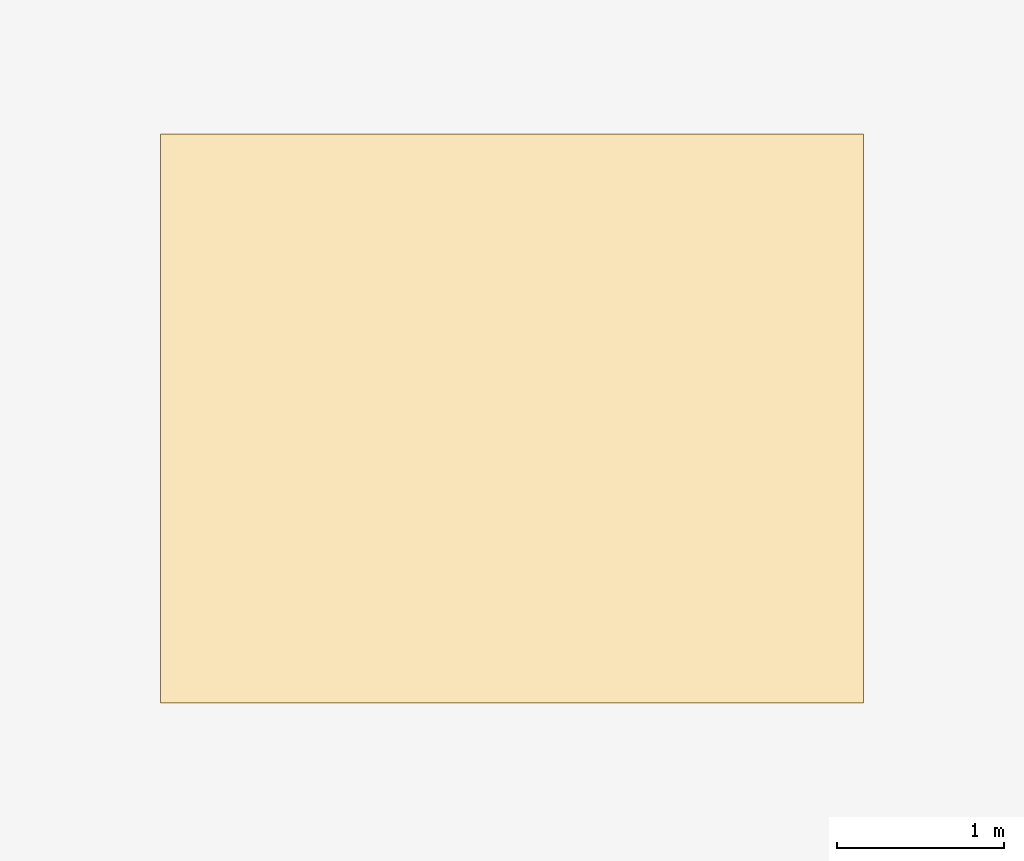
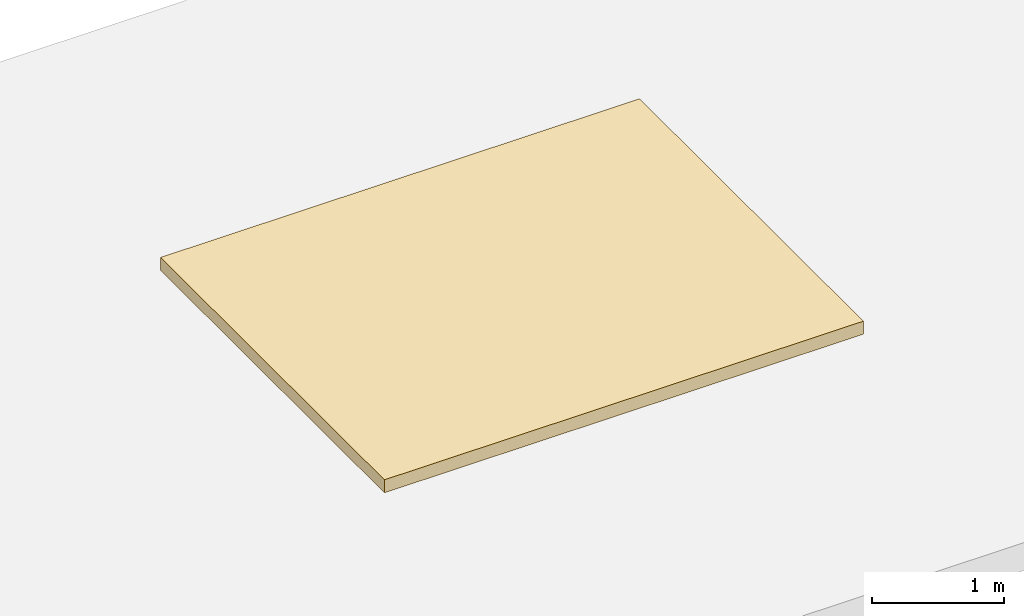
# One storey, part 2 of 2: 1 covering.
"""IFC4 building model written with IfcOpenShell, lengths in metres."""

from ifc_helpers import new_model, si_unit, direction, frame, origin, origin_2d, place, context, subcontext, project, spatial, rectangle, extrude, material, layer, layer_set, type_object, element, save


model = new_model("IFC4")

# Units and contexts
model_context = context("Model", 3, precision=1e-05, world=origin(), true_north=direction((0.0, 1.0)))
body_context = subcontext(model_context, "Body", "Model", "MODEL_VIEW")
ifc_project = project(units=[si_unit("LENGTHUNIT", "METRE"), si_unit("AREAUNIT", "SQUARE_METRE"), si_unit("VOLUMEUNIT", "CUBIC_METRE"), si_unit("PLANEANGLEUNIT", "RADIAN"), si_unit("MASSUNIT", "GRAM", prefix="KILO")], contexts=[model_context])

# Site, building, storey
site_placement = place(None, origin())
site = spatial("IfcSite", under=ifc_project, at=site_placement, CompositionType="ELEMENT")
building_placement = place(site_placement, origin())
building = spatial("IfcBuilding", under=site, at=building_placement, Name="Gaonmaruhae Medical Tower", CompositionType="ELEMENT")
storey_placement = place(building_placement, frame((0.0, 0.0, 352.340087890625)))
storey = spatial("IfcBuildingStorey", under=building, at=storey_placement, Name="ROOF", CompositionType="ELEMENT", Elevation=352.340087890625)

# Covering
ifc_material = material(Name="EPDM insulated roofing membrane", Category="membrane")
ifc_layer = layer(ifc_material, 0.1201171875)
ifc_layer_set = layer_set([ifc_layer], Name="EPDM insulated roofing membrane")
covering_type = type_object("IfcCoveringType", Name="RFG-01 Insulated EPDM Waterproof Roofing Membrane", PredefinedType="ROOFING", material=ifc_layer_set)
covering_placement = place(storey_placement, frame((24.800048828125, 12.300048828125, 0.259765625), z_axis=(0.0, 0.0, 1.0), x_axis=(1.0, 0.0, 0.0)))
element("IfcCovering", 1, at=covering_placement, inside=storey, type_object=covering_type, Name="ROOF Helipad Dispatch Shelter Waterproofing Membrane", PredefinedType="ROOFING", context=body_context, shape_type="SweptSolid", body=[
    extrude(rectangle(XDim=4.199951171875, YDim=3.39990234375, at=origin_2d()), origin(), (0.0, 0.0, 1.0), 0.1201171875),
])

save(model, "model.ifc")
